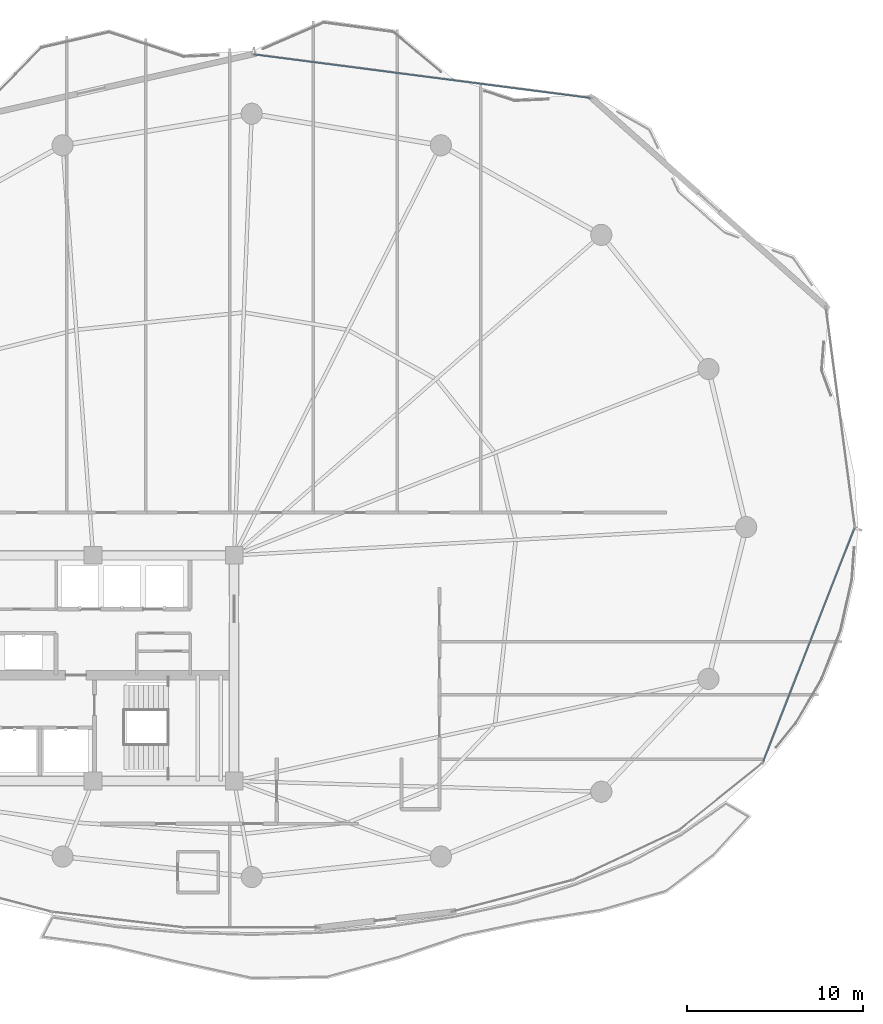
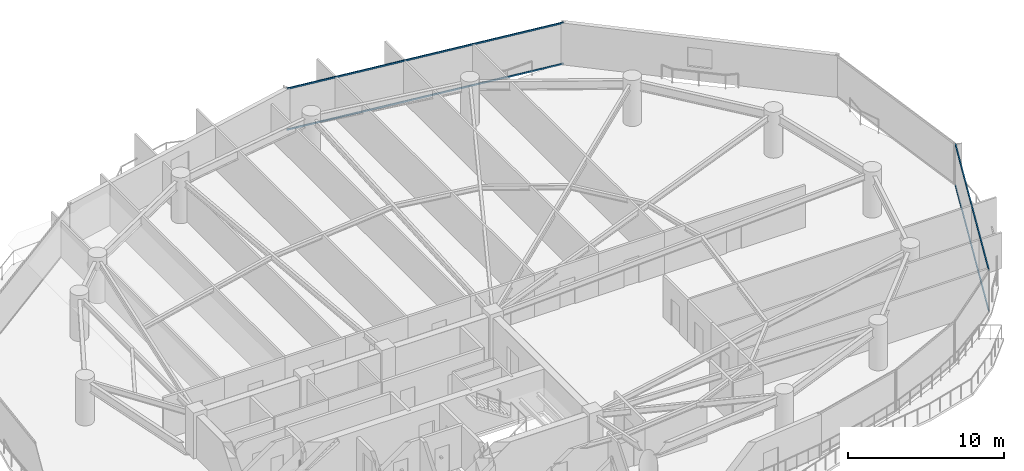
# One storey, part 23 of 33: 4 members, 2 elements without a shape of their own.
"""IFC4 building model written with IfcOpenShell, lengths in metres."""

from ifc_helpers import new_model, si_unit, direction, frame, origin, origin_2d, place, context, subcontext, project, spatial, hollow_rectangle, extrude, material, layer, layer_set, material_profile, profile_set, type_object, element, aggregate, save


model = new_model("IFC4")

# Units and contexts
model_context = context("Model", 3, precision=1e-05, world=origin(), true_north=direction((0.0, 1.0)))
body_context = subcontext(model_context, "Body", "Model", "MODEL_VIEW")
ifc_project = project(units=[si_unit("LENGTHUNIT", "METRE"), si_unit("AREAUNIT", "SQUARE_METRE"), si_unit("VOLUMEUNIT", "CUBIC_METRE"), si_unit("PLANEANGLEUNIT", "RADIAN"), si_unit("MASSUNIT", "GRAM", prefix="KILO")], contexts=[model_context])

# Site, building, storey
site_placement = place(None, origin())
site = spatial("IfcSite", under=ifc_project, at=site_placement, CompositionType="ELEMENT")
building_placement = place(site_placement, origin())
building = spatial("IfcBuilding", under=site, at=building_placement, Name="Kazevale Care Tower and Concert Hall", CompositionType="ELEMENT")
storey_placement = place(building_placement, frame((0.0, 0.0, 178.199951171875)))
storey = spatial("IfcBuildingStorey", under=building, at=storey_placement, Name="L47", CompositionType="ELEMENT", Elevation=178.199951171875)

# Curtain wall, members
ifc_material_1 = material(Name="Aluminium 6063-T6 and Low-E Glass", Category="aluminium")
ifc_layer_1 = layer(ifc_material_1, 0.179931640625)
ifc_layer_set_1 = layer_set([ifc_layer_1], Name="Aluminium 6063-T6 and Low-E Glass")
curtain_wall_type_1 = type_object("IfcCurtainWallType", Name="Convex Recessed Sunroom Curtain Wall CW-3", PredefinedType="NOTDEFINED", material=ifc_layer_set_1)
curtain_wall_1_placement = place(storey_placement, origin())
curtain_wall_1 = element("IfcCurtainWall", 1, at=curtain_wall_1_placement, inside=storey, type_object=curtain_wall_type_1, Name="cw:L47:f16", PredefinedType="NOTDEFINED")
ifc_material_2 = material(Name="Aluminium 6063-T6", Category="aluminium")
ifc_material_profile_1 = material_profile(ifc_material_2, hollow_rectangle(XDim=0.074951171875, YDim=0.1201171875, WallThickness=0.00390625, at=origin_2d()), Name="ALU75x120x4")
ifc_profile_set_1 = profile_set([ifc_material_profile_1], Name="Aluminium 6063-T6")
member_type_1 = type_object("IfcMemberType", Name="CW-3 Transom ALU75x120x4", PredefinedType="USERDEFINED", material=ifc_profile_set_1)
member_1_placement = place(storey_placement, frame((45.115478515625, 64.812255859375, 0.03759765625), z_axis=(0.991735891754, -0.128296223669, 0.0), x_axis=(0.128296223669, 0.991735891754, 0.0)))
member_1 = element("IfcMember", 2, at=member_1_placement, type_object=member_type_1, Name="CW-3 transom 1.1", ObjectType="TRANSOM", PredefinedType="USERDEFINED", context=body_context, shape_type="SweptSolid", body=[
    extrude(hollow_rectangle(XDim=0.074951171875, YDim=0.1201171875, WallThickness=0.00390625, at=origin_2d()), origin(), (0.0, 0.0, 1.0), 19.265380859375),
])
member_2_placement = place(storey_placement, frame((45.115478515625, 64.812255859375, 3.242431640625), z_axis=(0.991735891754, -0.128296223669, 0.0), x_axis=(0.128296223669, 0.991735891754, 0.0)))
member_2 = element("IfcMember", 3, at=member_2_placement, type_object=member_type_1, Name="CW-3 transom 1.2", ObjectType="TRANSOM", PredefinedType="USERDEFINED", context=body_context, shape_type="SweptSolid", body=[
    extrude(hollow_rectangle(XDim=0.074951171875, YDim=0.1201171875, WallThickness=0.00390625, at=origin_2d()), origin(), (0.0, 0.0, 1.0), 19.265380859375),
])
aggregate(curtain_wall_1, [member_1, member_2])

ifc_layer_2 = layer(ifc_material_1, 0.179931640625)
ifc_layer_set_2 = layer_set([ifc_layer_2], Name="Aluminium 6063-T6 and Low-E Glass")
curtain_wall_type_2 = type_object("IfcCurtainWallType", Name="Waist & Upper Residential Curtain Wall CW-4", PredefinedType="NOTDEFINED", material=ifc_layer_set_2)
curtain_wall_2_placement = place(storey_placement, origin())
curtain_wall_2 = element("IfcCurtainWall", 4, at=curtain_wall_2_placement, inside=storey, type_object=curtain_wall_type_2, Name="cw:L47:f01", PredefinedType="NOTDEFINED")
ifc_material_profile_2 = material_profile(ifc_material_2, hollow_rectangle(XDim=0.080078125, YDim=0.139892578125, WallThickness=0.00390625, at=origin_2d()), Name="ALU80x140x4")
ifc_profile_set_2 = profile_set([ifc_material_profile_2], Name="Aluminium 6063-T6")
member_type_2 = type_object("IfcMemberType", Name="CW-4 Transom ALU80x140x4", PredefinedType="USERDEFINED", material=ifc_profile_set_2)
member_3_placement = place(storey_placement, frame((79.19091796875, 37.925537109375, 0.0400390625), z_axis=(-0.364119027629, -0.931352421868, 0.0), x_axis=(0.931352421868, -0.364119027629, 0.0)))
member_3 = element("IfcMember", 5, at=member_3_placement, type_object=member_type_2, Name="CW-4 transom 1.1", ObjectType="TRANSOM", PredefinedType="USERDEFINED", context=body_context, shape_type="SweptSolid", body=[
    extrude(hollow_rectangle(XDim=0.080078125, YDim=0.139892578125, WallThickness=0.00390625, at=origin_2d()), origin(), (0.0, 0.0, 1.0), 14.18701171875),
])
member_4_placement = place(storey_placement, frame((79.19091796875, 37.925537109375, 3.239990234375), z_axis=(-0.364119027629, -0.931352421868, 0.0), x_axis=(0.931352421868, -0.364119027629, 0.0)))
member_4 = element("IfcMember", 6, at=member_4_placement, type_object=member_type_2, Name="CW-4 transom 1.2", ObjectType="TRANSOM", PredefinedType="USERDEFINED", context=body_context, shape_type="SweptSolid", body=[
    extrude(hollow_rectangle(XDim=0.080078125, YDim=0.139892578125, WallThickness=0.00390625, at=origin_2d()), origin(), (0.0, 0.0, 1.0), 14.18701171875),
])
aggregate(curtain_wall_2, [member_3, member_4])

save(model, "model.ifc")
